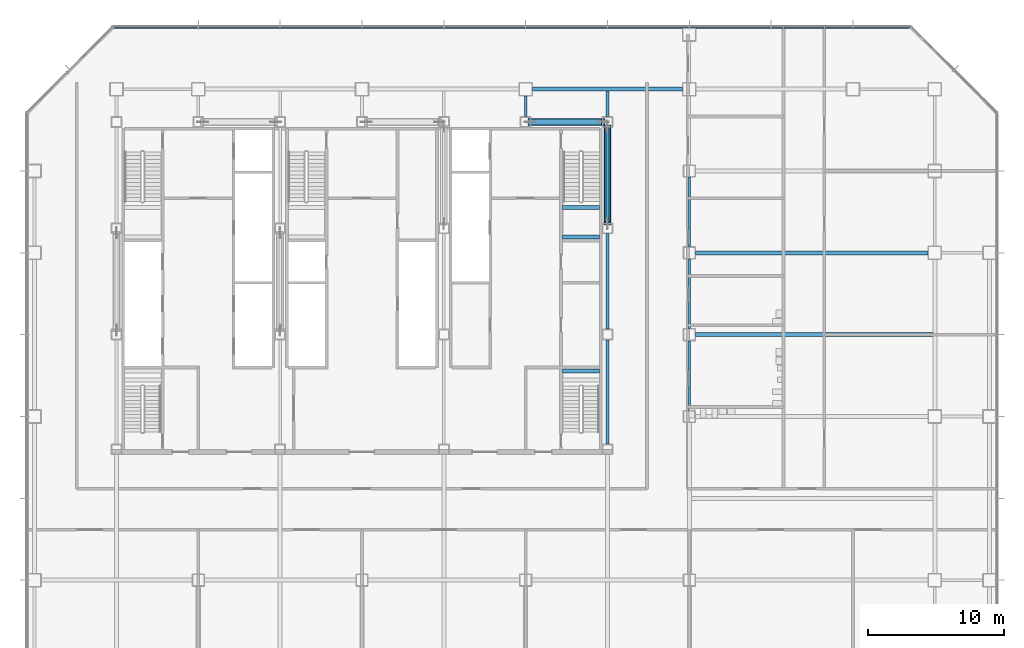
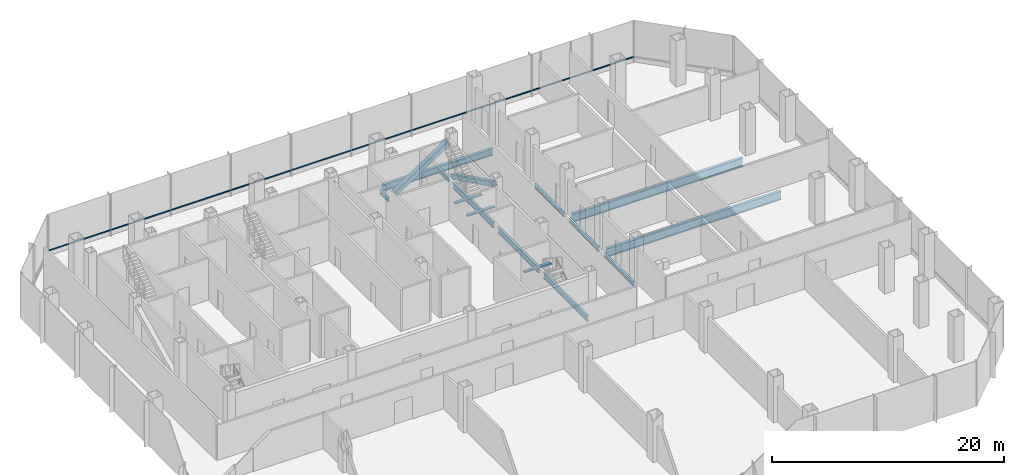
# One storey, part 15 of 33: 14 beams, 3 members, 1 element without a shape of its own.
"""IFC4 building model written with IfcOpenShell, lengths in metres."""

from ifc_helpers import new_model, si_unit, direction, frame, origin, origin_2d, place, context, subcontext, project, spatial, rectangle, hollow_rectangle, i_section, extrude, material, material_profile, profile_set, type_object, element, aggregate, save


model = new_model("IFC4")

# Units and contexts
model_context = context("Model", 3, precision=1e-05, world=origin(), true_north=direction((0.0, 1.0)))
body_context = subcontext(model_context, "Body", "Model", "MODEL_VIEW")
ifc_project = project(units=[si_unit("LENGTHUNIT", "METRE"), si_unit("AREAUNIT", "SQUARE_METRE"), si_unit("VOLUMEUNIT", "CUBIC_METRE"), si_unit("PLANEANGLEUNIT", "RADIAN"), si_unit("MASSUNIT", "GRAM", prefix="KILO")], contexts=[model_context])

# Site, building, storey
site_placement = place(None, origin())
site = spatial("IfcSite", under=ifc_project, at=site_placement, CompositionType="ELEMENT")
building_placement = place(site_placement, origin())
building = spatial("IfcBuilding", under=site, at=building_placement, Name="Sorahane Residences", CompositionType="ELEMENT")
storey_placement = place(building_placement, frame((0.0, 0.0, 30.0)))
storey = spatial("IfcBuildingStorey", under=building, at=storey_placement, Name="L04", CompositionType="ELEMENT", Elevation=30.0)

# Members
ifc_material_1 = material(Name="Steel Q355B", Category="steel")
ifc_material_profile_1 = material_profile(ifc_material_1, hollow_rectangle(XDim=0.5, YDim=0.5, WallThickness=0.02490234375, InnerFilletRadius=0.012451171875, OuterFilletRadius=0.03759765625, at=origin_2d()), Name="RHS 500x500x25")
ifc_profile_set_1 = profile_set([ifc_material_profile_1], Name="Steel Q355B")
member_type_1 = type_object("IfcMemberType", Name="Core brace RHS 500x500x25 Q355B", PredefinedType="BRACE", material=ifc_profile_set_1)
member_1_placement = place(storey_placement, frame((36.317138671875, 45.60009765625, 0.195068359375), z_axis=(0.833273178454, 0.0, 0.552861474575), x_axis=(0.0, 1.0, 0.0)))
element("IfcMember", 1, at=member_1_placement, inside=storey, type_object=member_type_1, Name="Core brace L04 y45.6-6", PredefinedType="BRACE", context=body_context, shape_type="SweptSolid", body=[
    extrude(hollow_rectangle(XDim=0.5, YDim=0.5, WallThickness=0.02490234375, InnerFilletRadius=0.012451171875, OuterFilletRadius=0.03759765625, at=origin_2d()), origin(), (0.0, 0.0, 1.0), 6.439453125),
])
member_2_placement = place(storey_placement, frame((42.0, 45.266357421875, 0.21728515625), z_axis=(0.0, -0.89697311716, 0.44208509033), x_axis=(1.0, 0.0, 0.0)))
element("IfcMember", 2, at=member_2_placement, inside=storey, type_object=member_type_1, Name="Core brace L04 x42-3", PredefinedType="BRACE", context=body_context, shape_type="SweptSolid", body=[
    extrude(hollow_rectangle(XDim=0.5, YDim=0.5, WallThickness=0.02490234375, InnerFilletRadius=0.012451171875, OuterFilletRadius=0.03759765625, at=origin_2d()), origin(), (0.0, 0.0, 1.0), 7.951904296875),
])

# Curtain wall, member
ifc_material_2 = material(Name="Dark low-e glass and black anodised aluminium", Category="aluminium")
curtain_wall_type = type_object("IfcCurtainWallType", Name="Curtain wall CW-3 Podium unitised wall", PredefinedType="NOTDEFINED", material=ifc_material_2)
curtain_wall_placement = place(storey_placement, origin())
curtain_wall = element("IfcCurtainWall", 3, at=curtain_wall_placement, inside=storey, type_object=curtain_wall_type, Name="CW-3 curtain wall L04 N1", PredefinedType="NOTDEFINED")
ifc_material_3 = material(Name="Black anodised aluminium", Category="aluminium")
ifc_material_profile_2 = material_profile(ifc_material_3, rectangle(XDim=0.10009765625, YDim=0.06005859375, at=origin_2d()), Name="Curtain wall transom CW-3 black anodised aluminium 60x100")
ifc_profile_set_2 = profile_set([ifc_material_profile_2], Name="Black anodised aluminium")
member_type_2 = type_object("IfcMemberType", Name="Curtain wall transom CW-3 black anodised aluminium 60x100", PredefinedType="USERDEFINED", material=ifc_profile_set_2)
member_3_placement = place(storey_placement, frame((64.198486328125, 52.530029296875, 0.60009765625), z_axis=(-1.0, 0.0, 0.0), x_axis=(0.0, -1.0, 0.0)))
member_3 = element("IfcMember", 4, at=member_3_placement, type_object=member_type_2, Name="CW-3 transom L04 N1", ObjectType="TRANSOM", PredefinedType="USERDEFINED", context=body_context, shape_type="SweptSolid", body=[
    extrude(rectangle(XDim=0.10009765625, YDim=0.06005859375, at=origin_2d()), origin(), (0.0, 0.0, 1.0), 58.39697265625),
])
aggregate(curtain_wall, [member_3])

# Beams
ifc_material_4 = material(Name="Concrete C40", Category="concrete")
ifc_material_profile_3 = material_profile(ifc_material_4, rectangle(XDim=0.300048828125, YDim=0.139892578125, at=origin_2d()), Name="300x140")
ifc_profile_set_3 = profile_set([ifc_material_profile_3], Name="Concrete C40")
beam_type_1 = type_object("IfcBeamType", Name="RC landing beam 300 x 140 Concrete C40", PredefinedType="BEAM", material=ifc_profile_set_3)
for number, where, z_axis, x_axis, name in (
    (5, (38.699951171875, 37.14990234375, 2.1298828125), (1.0, 0.0, 0.0), (0.0, 1.0, 0.0), "Landing beam"),
    (6, (38.699951171875, 39.31005859375, 2.1298828125), (1.0, 0.0, 0.0), (0.0, 1.0, 0.0), "Landing beam"),
    (7, (38.699951171875, 27.35009765625, 2.1298828125), (1.0, 0.0, 0.0), (0.0, 1.0, 0.0), "Landing beam"),
):
    element("IfcBeam", number, at=place(storey_placement, frame(where, z_axis=z_axis, x_axis=x_axis)), inside=storey, type_object=beam_type_1, Name=name, PredefinedType="BEAM", context=body_context, shape_type="SweptSolid", body=[
        extrude(rectangle(XDim=0.300048828125, YDim=0.139892578125, at=origin_2d()), origin(), (0.0, 0.0, 1.0), 2.699951171875),
    ])
ifc_material_5 = material(Name="Steel Q355B", Category="steel")
ifc_material_profile_4 = material_profile(ifc_material_5, i_section(OverallWidth=0.199951171875, OverallDepth=0.449951171875, WebThickness=0.009033203125, FlangeThickness=0.013916015625, FilletRadius=0.02001953125, at=origin_2d()), Name="HN 450x200x9x14")
ifc_profile_set_4 = profile_set([ifc_material_profile_4], Name="Steel Q355B")
beam_type_2 = type_object("IfcBeamType", Name="Steel floor beam HN 450x200x9x14 Q355B", PredefinedType="BEAM", material=ifc_profile_set_4)
beam_1_placement = place(storey_placement, frame((36.0, 46.0, -0.625), z_axis=(0.0, 1.0, 0.0), x_axis=(-1.0, 0.0, 0.0)))
element("IfcBeam", 8, at=beam_1_placement, inside=storey, type_object=beam_type_2, Name="Beam L04 055", PredefinedType="BEAM", context=body_context, shape_type="SweptSolid", body=[
    extrude(i_section(OverallWidth=0.199951171875, OverallDepth=0.449951171875, WebThickness=0.009033203125, FlangeThickness=0.013916015625, FilletRadius=0.02001953125, at=origin_2d()), origin(), (0.0, 0.0, 1.0), 1.5),
])
beam_2_placement = place(storey_placement, frame((42.0, 46.0, -0.625), z_axis=(0.0, 1.0, 0.0), x_axis=(-1.0, 0.0, 0.0)))
element("IfcBeam", 9, at=beam_2_placement, inside=storey, type_object=beam_type_2, Name="Beam L04 061", PredefinedType="BEAM", context=body_context, shape_type="SweptSolid", body=[
    extrude(i_section(OverallWidth=0.199951171875, OverallDepth=0.449951171875, WebThickness=0.009033203125, FlangeThickness=0.013916015625, FilletRadius=0.02001953125, at=origin_2d()), origin(), (0.0, 0.0, 1.0), 1.85009765625),
])
for number, where, z_axis, x_axis, name in (
    (10, (48.0, 24.449951171875, -0.625), (0.0, 1.0, 0.0), (-1.0, 0.0, 0.0), "Beam L04 065"),
    (11, (48.0, 30.449951171875, -0.625), (0.0, 1.0, 0.0), (-1.0, 0.0, 0.0), "Beam L04 066"),
    (12, (48.0, 36.449951171875, -0.625), (0.0, 1.0, 0.0), (-1.0, 0.0, 0.0), "Beam L04 067"),
):
    element("IfcBeam", number, at=place(storey_placement, frame(where, z_axis=z_axis, x_axis=x_axis)), inside=storey, type_object=beam_type_2, Name=name, PredefinedType="BEAM", context=body_context, shape_type="SweptSolid", body=[
        extrude(i_section(OverallWidth=0.199951171875, OverallDepth=0.449951171875, WebThickness=0.009033203125, FlangeThickness=0.013916015625, FilletRadius=0.02001953125, at=origin_2d()), origin(), (0.0, 0.0, 1.0), 5.10009765625),
    ])
ifc_material_6 = material(Name="Steel Q355B", Category="steel")
ifc_material_profile_5 = material_profile(ifc_material_6, i_section(OverallWidth=0.199951171875, OverallDepth=0.60009765625, WebThickness=0.010986328125, FlangeThickness=0.01708984375, FilletRadius=0.02392578125, at=origin_2d()), Name="HN 600x200x11x17")
ifc_profile_set_5 = profile_set([ifc_material_profile_5], Name="Steel Q355B")
beam_type_3 = type_object("IfcBeamType", Name="Steel floor beam HN 600x200x11x17 Q355B", PredefinedType="BEAM", material=ifc_profile_set_5)
beam_3_placement = place(storey_placement, frame((42.0, 22.0, -0.699951171875), z_axis=(0.0, 1.0, 0.0), x_axis=(-1.0, 0.0, 0.0)))
element("IfcBeam", 13, at=beam_3_placement, inside=storey, type_object=beam_type_3, Name="Beam L04 058", PredefinedType="BEAM", context=body_context, shape_type="SweptSolid", body=[
    extrude(i_section(OverallWidth=0.199951171875, OverallDepth=0.60009765625, WebThickness=0.010986328125, FlangeThickness=0.01708984375, FilletRadius=0.02392578125, at=origin_2d()), origin(), (0.0, 0.0, 1.0), 7.60009765625),
])
for number, where, z_axis, x_axis, name in (
    (14, (42.0, 30.39990234375, -0.699951171875), (0.0, 1.0, 0.0), (-1.0, 0.0, 0.0), "Beam L04 059"),
    (15, (42.0, 38.199951171875, -0.699951171875), (0.0, 1.0, 0.0), (-1.0, 0.0, 0.0), "Beam L04 060"),
):
    element("IfcBeam", number, at=place(storey_placement, frame(where, z_axis=z_axis, x_axis=x_axis)), inside=storey, type_object=beam_type_3, Name=name, PredefinedType="BEAM", context=body_context, shape_type="SweptSolid", body=[
        extrude(i_section(OverallWidth=0.199951171875, OverallDepth=0.60009765625, WebThickness=0.010986328125, FlangeThickness=0.01708984375, FilletRadius=0.02392578125, at=origin_2d()), origin(), (0.0, 0.0, 1.0), 7.0),
    ])
ifc_material_7 = material(Name="Steel Q355B", Category="steel")
ifc_material_profile_6 = material_profile(ifc_material_7, i_section(OverallWidth=0.300048828125, OverallDepth=0.699951171875, WebThickness=0.012939453125, FlangeThickness=0.02392578125, FilletRadius=0.028076171875, at=origin_2d()), Name="HN 700x300x13x24")
ifc_profile_set_6 = profile_set([ifc_material_profile_6], Name="Steel Q355B")
beam_type_4 = type_object("IfcBeamType", Name="Steel floor beam HN 700x300x13x24 Q355B", PredefinedType="BEAM", material=ifc_profile_set_6)
beam_4_placement = place(storey_placement, frame((36.5, 48.0, -0.75), z_axis=(1.0, 0.0, 0.0), x_axis=(0.0, 1.0, 0.0)))
element("IfcBeam", 16, at=beam_4_placement, inside=storey, type_object=beam_type_4, Name="Beam L04 021", PredefinedType="BEAM", context=body_context, shape_type="SweptSolid", body=[
    extrude(i_section(OverallWidth=0.300048828125, OverallDepth=0.699951171875, WebThickness=0.012939453125, FlangeThickness=0.02392578125, FilletRadius=0.028076171875, at=origin_2d()), origin(), (0.0, 0.0, 1.0), 11.0),
])
ifc_material_8 = material(Name="Steel Q355B", Category="steel")
ifc_material_profile_7 = material_profile(ifc_material_8, i_section(OverallWidth=0.300048828125, OverallDepth=0.89990234375, WebThickness=0.01611328125, FlangeThickness=0.028076171875, FilletRadius=0.028076171875, at=origin_2d()), Name="HN 900x300x16x28")
ifc_profile_set_7 = profile_set([ifc_material_profile_7], Name="Steel Q355B")
beam_type_5 = type_object("IfcBeamType", Name="Steel floor beam HN 900x300x16x28 Q355B", PredefinedType="BEAM", material=ifc_profile_set_7)
beam_5_placement = place(storey_placement, frame((48.449951171875, 36.0, -0.85009765625), z_axis=(1.0, 0.0, 0.0), x_axis=(0.0, 1.0, 0.0)))
element("IfcBeam", 17, at=beam_5_placement, inside=storey, type_object=beam_type_5, Name="Beam L04 016", PredefinedType="BEAM", context=body_context, shape_type="SweptSolid", body=[
    extrude(i_section(OverallWidth=0.300048828125, OverallDepth=0.89990234375, WebThickness=0.01611328125, FlangeThickness=0.028076171875, FilletRadius=0.028076171875, at=origin_2d()), origin(), (0.0, 0.0, 1.0), 17.050048828125),
])
beam_6_placement = place(storey_placement, frame((48.4501953125, 30.0, -0.85009765625), z_axis=(1.0, 0.0, 0.0), x_axis=(0.0, 1.0, 0.0)))
element("IfcBeam", 18, at=beam_6_placement, inside=storey, type_object=beam_type_5, Name="Beam L04 085", PredefinedType="BEAM", context=body_context, shape_type="SweptSolid", body=[
    extrude(i_section(OverallWidth=0.300048828125, OverallDepth=0.89990234375, WebThickness=0.01611328125, FlangeThickness=0.028076171875, FilletRadius=0.028076171875, at=origin_2d()), origin(), (0.0, 0.0, 1.0), 17.399658203125),
])

save(model, "model.ifc")
